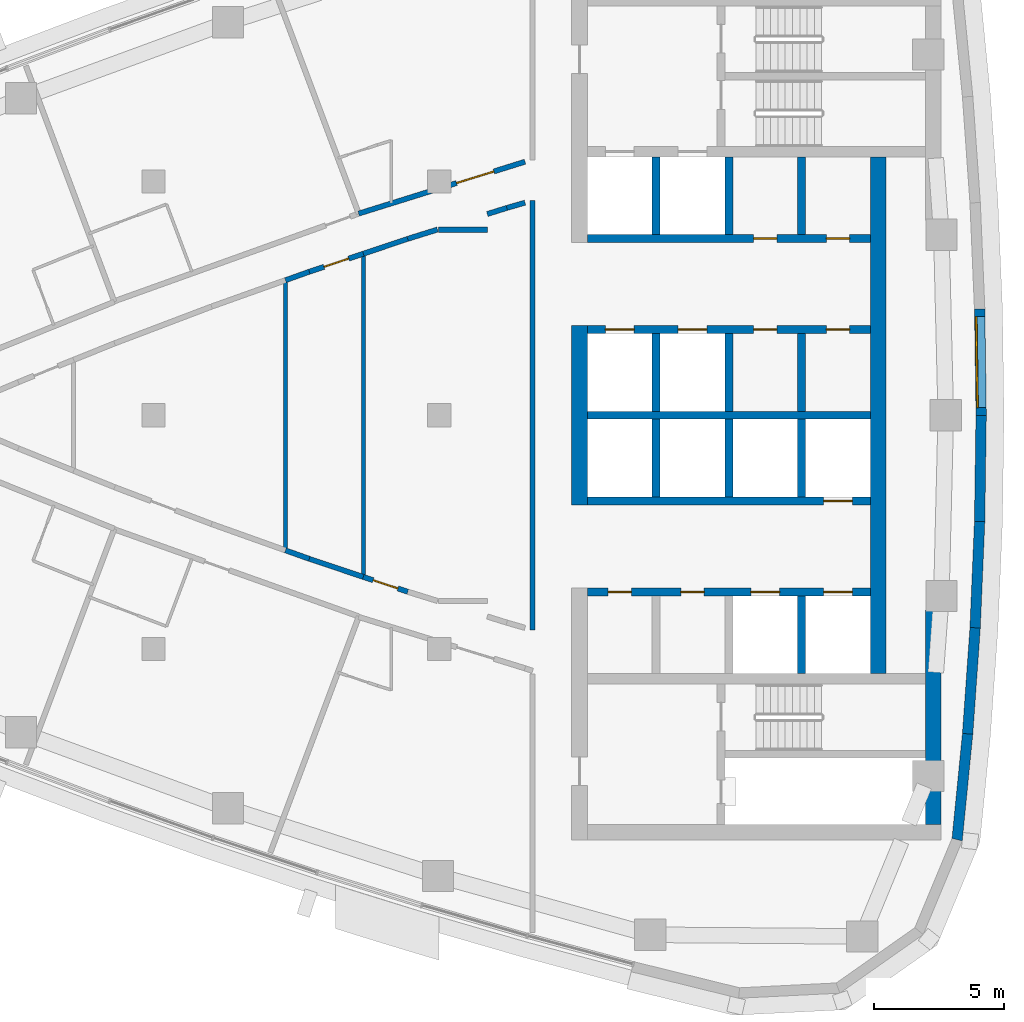
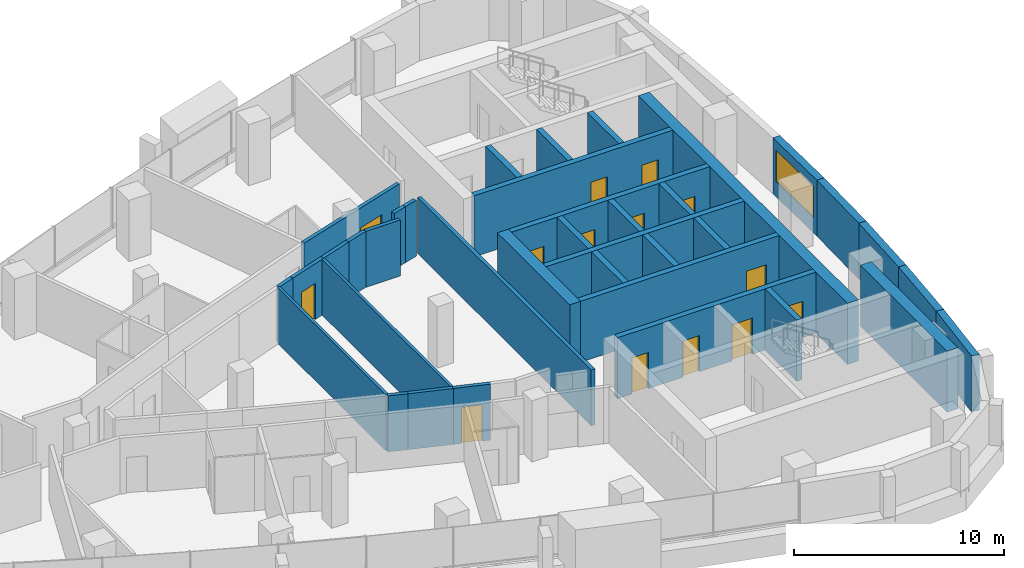
# One storey, part 10 of 15: 37 walls, 14 doors, 1 window, 15 openings.
"""IFC4 building model written with IfcOpenShell, lengths in metres."""

from ifc_helpers import new_model, si_unit, direction, frame, frame_2d, origin, place, context, subcontext, project, spatial, polyline, rectangle, outline, extrude, material, layer, layer_set, type_object, element, fill, save


model = new_model("IFC4")

# Units and contexts
model_context = context("Model", 3, precision=1e-05, world=origin(), true_north=direction((0.0, 1.0)))
body_context = subcontext(model_context, "Body", "Model", "MODEL_VIEW")
ifc_project = project(units=[si_unit("LENGTHUNIT", "METRE"), si_unit("AREAUNIT", "SQUARE_METRE"), si_unit("VOLUMEUNIT", "CUBIC_METRE"), si_unit("PLANEANGLEUNIT", "RADIAN"), si_unit("MASSUNIT", "GRAM", prefix="KILO")], contexts=[model_context])

# Site, building, storey
site_placement = place(None, origin())
site = spatial("IfcSite", under=ifc_project, at=site_placement, CompositionType="ELEMENT")
building_placement = place(site_placement, origin())
building = spatial("IfcBuilding", under=site, at=building_placement, Name="Ostrand Prow Hotel Tower", CompositionType="ELEMENT")
storey_placement = place(building_placement, frame((0.0, 0.0, 235.0)))
storey = spatial("IfcBuildingStorey", under=building, at=storey_placement, Name="L59", CompositionType="ELEMENT", Elevation=235.0)

# Wall
ifc_material_1 = material(Name="Concrete C50/60", Category="concrete")
ifc_layer_1 = layer(ifc_material_1, 0.300048828125)
ifc_layer_set_1 = layer_set([ifc_layer_1], Name="Concrete C50/60")
wall_type_1 = type_object("IfcWallType", Name="Core wall 300 C50/60", PredefinedType="SHEAR", material=ifc_layer_set_1)
wall_1_placement = place(storey_placement, frame((50.699951171875, 0.0, 0.0), z_axis=(0.0, 0.0, 1.0), x_axis=(1.0, 0.0, 0.0)))
element("IfcWall", 1, at=wall_1_placement, inside=storey, type_object=wall_type_1, Name="Core wall PW-C", PredefinedType="SHEAR", context=body_context, shape_type="SweptSolid", body=[
    extrude(rectangle(XDim=10.900146484375, YDim=0.300048828125, at=frame_2d((5.4501953125, 0.0))), origin(), (0.0, 0.0, 1.0), 3.550048828125),
])

# Wall, openings, doors
wall_2_placement = place(storey_placement, frame((50.699951171875, 3.300048828125, 0.0), z_axis=(0.0, 0.0, 1.0), x_axis=(1.0, 0.0, 0.0)))
wall_2 = element("IfcWall", 2, at=wall_2_placement, inside=storey, type_object=wall_type_1, Name="Core wall PW-L1-N", PredefinedType="SHEAR", context=body_context, shape_type="SweptSolid", body=[
    extrude(rectangle(XDim=10.900146484375, YDim=0.300048828125, at=frame_2d((5.4501953125, 0.0))), origin(), (0.0, 0.0, 1.0), 3.550048828125),
])
opening_1_placement = place(wall_2_placement, frame((0.699951171875, 0.0, 0.0)))
opening_1 = element("IfcOpeningElement", 3, at=opening_1_placement, cuts=wall_2, Name="Opening LD", PredefinedType="OPENING", context=body_context, shape_type="SweptSolid", body=[
    extrude(rectangle(XDim=1.10009765625, YDim=2.10009765625, at=frame_2d((0.550048828125, 1.050048828125))), frame((0.0, 0.159912109375, 0.0), z_axis=(0.0, -1.0, 0.0), x_axis=(1.0, 0.0, 0.0)), (0.0, 0.0, 1.0), 0.320068359375),
])
opening_2_placement = place(wall_2_placement, frame((3.5, 0.0, 0.0)))
opening_2 = element("IfcOpeningElement", 4, at=opening_2_placement, cuts=wall_2, Name="Opening LD", PredefinedType="OPENING", context=body_context, shape_type="SweptSolid", body=[
    extrude(rectangle(XDim=1.10009765625, YDim=2.10009765625, at=frame_2d((0.550048828125, 1.050048828125))), frame((0.0, 0.159912109375, 0.0), z_axis=(0.0, -1.0, 0.0), x_axis=(1.0, 0.0, 0.0)), (0.0, 0.0, 1.0), 0.320068359375),
])
opening_3_placement = place(wall_2_placement, frame((6.39990234375, 0.0, 0.0)))
opening_3 = element("IfcOpeningElement", 5, at=opening_3_placement, cuts=wall_2, Name="Opening FD2", PredefinedType="OPENING", context=body_context, shape_type="SweptSolid", body=[
    extrude(rectangle(XDim=0.89990234375, YDim=2.10009765625, at=frame_2d((0.449951171875, 1.050048828125))), frame((0.0, 0.159912109375, 0.0), z_axis=(0.0, -1.0, 0.0), x_axis=(1.0, 0.0, 0.0)), (0.0, 0.0, 1.0), 0.320068359375),
])
opening_4_placement = place(wall_2_placement, frame((9.199951171875, 0.0, 0.0)))
opening_4 = element("IfcOpeningElement", 6, at=opening_4_placement, cuts=wall_2, Name="Opening FD2", PredefinedType="OPENING", context=body_context, shape_type="SweptSolid", body=[
    extrude(rectangle(XDim=0.89990234375, YDim=2.10009765625, at=frame_2d((0.449951171875, 1.050048828125))), frame((0.0, 0.159912109375, 0.0), z_axis=(0.0, -1.0, 0.0), x_axis=(1.0, 0.0, 0.0)), (0.0, 0.0, 1.0), 0.320068359375),
])
ifc_material_2 = material(Name="Steel fire door", Category="steel")
door_type_1 = type_object("IfcDoorType", Name="Fire door 900 EI120", OperationType="SINGLE_SWING_LEFT", PredefinedType="DOOR", material=ifc_material_2)
door_1_placement = place(opening_3_placement, origin())
door_1 = element("IfcDoor", 7, at=door_1_placement, inside=storey, type_object=door_type_1, Name="DOOR", OperationType="SINGLE_SWING_LEFT", OverallHeight=2.10009765625, OverallWidth=0.89990234375, PredefinedType="DOOR", context=body_context, shape_type="SweptSolid", body=[
    extrude(rectangle(XDim=0.89990234375, YDim=2.10009765625, at=frame_2d((0.449951171875, 1.050048828125))), frame((0.0, 0.02490234375, 0.0), z_axis=(0.0, -1.0, 0.0), x_axis=(1.0, 0.0, 0.0)), (0.0, 0.0, 1.0), 0.050048828125),
])
fill(opening_3, door_1)
door_2_placement = place(opening_4_placement, origin())
door_2 = element("IfcDoor", 8, at=door_2_placement, inside=storey, type_object=door_type_1, Name="DOOR", OperationType="SINGLE_SWING_LEFT", OverallHeight=2.10009765625, OverallWidth=0.89990234375, PredefinedType="DOOR", context=body_context, shape_type="SweptSolid", body=[
    extrude(rectangle(XDim=0.89990234375, YDim=2.10009765625, at=frame_2d((0.449951171875, 1.050048828125))), frame((0.0, 0.02490234375, 0.0), z_axis=(0.0, -1.0, 0.0), x_axis=(1.0, 0.0, 0.0)), (0.0, 0.0, 1.0), 0.050048828125),
])
fill(opening_4, door_2)
ifc_material_3 = material(Name="Stainless steel door", Category="steel")
door_type_2 = type_object("IfcDoorType", Name="Lift landing door 1100", OperationType="DOUBLE_DOOR_SLIDING", PredefinedType="DOOR", material=ifc_material_3)
door_3_placement = place(opening_1_placement, origin())
door_3 = element("IfcDoor", 9, at=door_3_placement, inside=storey, type_object=door_type_2, Name="LIFT LANDING DOOR", OperationType="DOUBLE_DOOR_SLIDING", OverallHeight=2.10009765625, OverallWidth=1.10009765625, PredefinedType="DOOR", context=body_context, shape_type="SweptSolid", body=[
    extrude(rectangle(XDim=1.10009765625, YDim=2.10009765625, at=frame_2d((0.550048828125, 1.050048828125))), frame((0.0, 0.02490234375, 0.0), z_axis=(0.0, -1.0, 0.0), x_axis=(1.0, 0.0, 0.0)), (0.0, 0.0, 1.0), 0.050048828125),
])
fill(opening_1, door_3)
door_4_placement = place(opening_2_placement, origin())
door_4 = element("IfcDoor", 10, at=door_4_placement, inside=storey, type_object=door_type_2, Name="LIFT LANDING DOOR", OperationType="DOUBLE_DOOR_SLIDING", OverallHeight=2.10009765625, OverallWidth=1.10009765625, PredefinedType="DOOR", context=body_context, shape_type="SweptSolid", body=[
    extrude(rectangle(XDim=1.10009765625, YDim=2.10009765625, at=frame_2d((0.550048828125, 1.050048828125))), frame((0.0, 0.02490234375, 0.0), z_axis=(0.0, -1.0, 0.0), x_axis=(1.0, 0.0, 0.0)), (0.0, 0.0, 1.0), 0.050048828125),
])
fill(opening_2, door_4)

wall_3_placement = place(storey_placement, frame((50.699951171875, 6.800048828125, 0.0), z_axis=(0.0, 0.0, 1.0), x_axis=(1.0, 0.0, 0.0)))
wall_3 = element("IfcWall", 11, at=wall_3_placement, inside=storey, type_object=wall_type_1, Name="Core wall PW-L2-N", PredefinedType="SHEAR", context=body_context, shape_type="SweptSolid", body=[
    extrude(rectangle(XDim=10.900146484375, YDim=0.300048828125, at=frame_2d((5.4501953125, 0.0))), origin(), (0.0, 0.0, 1.0), 3.550048828125),
])
opening_5_placement = place(wall_3_placement, frame((6.39990234375, 0.0, 0.0)))
opening_5 = element("IfcOpeningElement", 12, at=opening_5_placement, cuts=wall_3, Name="Opening FD2", PredefinedType="OPENING", context=body_context, shape_type="SweptSolid", body=[
    extrude(rectangle(XDim=0.89990234375, YDim=2.10009765625, at=frame_2d((0.449951171875, 1.050048828125))), frame((0.0, 0.159912109375, 0.0), z_axis=(0.0, -1.0, 0.0), x_axis=(1.0, 0.0, 0.0)), (0.0, 0.0, 1.0), 0.320068359375),
])
opening_6_placement = place(wall_3_placement, frame((9.199951171875, 0.0, 0.0)))
opening_6 = element("IfcOpeningElement", 13, at=opening_6_placement, cuts=wall_3, Name="Opening FD2", PredefinedType="OPENING", context=body_context, shape_type="SweptSolid", body=[
    extrude(rectangle(XDim=0.89990234375, YDim=2.10009765625, at=frame_2d((0.449951171875, 1.050048828125))), frame((0.0, 0.159912109375, 0.0), z_axis=(0.0, -1.0, 0.0), x_axis=(1.0, 0.0, 0.0)), (0.0, 0.0, 1.0), 0.320068359375),
])
door_5_placement = place(opening_5_placement, origin())
door_5 = element("IfcDoor", 14, at=door_5_placement, inside=storey, type_object=door_type_1, Name="DOOR", OperationType="SINGLE_SWING_LEFT", OverallHeight=2.10009765625, OverallWidth=0.89990234375, PredefinedType="DOOR", context=body_context, shape_type="SweptSolid", body=[
    extrude(rectangle(XDim=0.89990234375, YDim=2.10009765625, at=frame_2d((0.449951171875, 1.050048828125))), frame((0.0, 0.02490234375, 0.0), z_axis=(0.0, -1.0, 0.0), x_axis=(1.0, 0.0, 0.0)), (0.0, 0.0, 1.0), 0.050048828125),
])
fill(opening_5, door_5)
door_6_placement = place(opening_6_placement, origin())
door_6 = element("IfcDoor", 15, at=door_6_placement, inside=storey, type_object=door_type_1, Name="DOOR", OperationType="SINGLE_SWING_LEFT", OverallHeight=2.10009765625, OverallWidth=0.89990234375, PredefinedType="DOOR", context=body_context, shape_type="SweptSolid", body=[
    extrude(rectangle(XDim=0.89990234375, YDim=2.10009765625, at=frame_2d((0.449951171875, 1.050048828125))), frame((0.0, 0.02490234375, 0.0), z_axis=(0.0, -1.0, 0.0), x_axis=(1.0, 0.0, 0.0)), (0.0, 0.0, 1.0), 0.050048828125),
])
fill(opening_6, door_6)

# Walls
for number, where, z_axis, x_axis, name in (
    (16, (53.35009765625, 0.14990234375, 0.0), (0.0, 0.0, 1.0), (0.0, 1.0, 0.0), "Core wall PW-R1-NB"),
    (17, (53.35009765625, 6.949951171875, 0.0), (0.0, 0.0, 1.0), (0.0, 1.0, 0.0), "Core wall PW-R1-NA"),
    (18, (56.14990234375, 0.14990234375, 0.0), (0.0, 0.0, 1.0), (0.0, 1.0, 0.0), "Core wall PW-R2-NB"),
    (19, (56.14990234375, 6.949951171875, 0.0), (0.0, 0.0, 1.0), (0.0, 1.0, 0.0), "Core wall PW-R2-NA"),
    (20, (58.949951171875, 0.14990234375, 0.0), (0.0, 0.0, 1.0), (0.0, 1.0, 0.0), "Core wall PW-R3-NB"),
    (21, (58.949951171875, 6.949951171875, 0.0), (0.0, 0.0, 1.0), (0.0, 1.0, 0.0), "Core wall PW-R3-NA"),
):
    element("IfcWall", number, at=place(storey_placement, frame(where, z_axis=z_axis, x_axis=x_axis)), inside=storey, type_object=wall_type_1, Name=name, PredefinedType="SHEAR", context=body_context, shape_type="SweptSolid", body=[
        extrude(rectangle(XDim=3.0, YDim=0.300048828125, at=frame_2d((1.5, 0.0))), origin(), (0.0, 0.0, 1.0), 3.550048828125),
    ])

# Wall, opening, door
wall_4_placement = place(storey_placement, frame((50.699951171875, -3.300048828125, 0.0), z_axis=(0.0, 0.0, 1.0), x_axis=(1.0, 0.0, 0.0)))
wall_4 = element("IfcWall", 22, at=wall_4_placement, inside=storey, type_object=wall_type_1, Name="Core wall PW-L1-S", PredefinedType="SHEAR", context=body_context, shape_type="SweptSolid", body=[
    extrude(rectangle(XDim=10.900146484375, YDim=0.300048828125, at=frame_2d((5.4501953125, 0.0))), origin(), (0.0, 0.0, 1.0), 3.550048828125),
])
opening_7_placement = place(wall_4_placement, frame((9.10009765625, 0.0, 0.0)))
opening_7 = element("IfcOpeningElement", 23, at=opening_7_placement, cuts=wall_4, Name="Opening LD", PredefinedType="OPENING", context=body_context, shape_type="SweptSolid", body=[
    extrude(rectangle(XDim=1.10009765625, YDim=2.10009765625, at=frame_2d((0.550048828125, 1.050048828125))), frame((0.0, 0.159912109375, 0.0), z_axis=(0.0, -1.0, 0.0), x_axis=(1.0, 0.0, 0.0)), (0.0, 0.0, 1.0), 0.320068359375),
])
door_7_placement = place(opening_7_placement, origin())
door_7 = element("IfcDoor", 24, at=door_7_placement, inside=storey, type_object=door_type_2, Name="LIFT LANDING DOOR", OperationType="DOUBLE_DOOR_SLIDING", OverallHeight=2.10009765625, OverallWidth=1.10009765625, PredefinedType="DOOR", context=body_context, shape_type="SweptSolid", body=[
    extrude(rectangle(XDim=1.10009765625, YDim=2.10009765625, at=frame_2d((0.550048828125, 1.050048828125))), frame((0.0, 0.02490234375, 0.0), z_axis=(0.0, -1.0, 0.0), x_axis=(1.0, 0.0, 0.0)), (0.0, 0.0, 1.0), 0.050048828125),
])
fill(opening_7, door_7)

# Wall, openings, doors
wall_5_placement = place(storey_placement, frame((50.699951171875, -6.800048828125, 0.0), z_axis=(0.0, 0.0, 1.0), x_axis=(1.0, 0.0, 0.0)))
wall_5 = element("IfcWall", 25, at=wall_5_placement, inside=storey, type_object=wall_type_1, Name="Core wall PW-L2-S", PredefinedType="SHEAR", context=body_context, shape_type="SweptSolid", body=[
    extrude(rectangle(XDim=10.900146484375, YDim=0.300048828125, at=frame_2d((5.4501953125, 0.0))), origin(), (0.0, 0.0, 1.0), 3.550048828125),
])
opening_8_placement = place(wall_5_placement, frame((6.300048828125, 0.0, 0.0)))
opening_8 = element("IfcOpeningElement", 26, at=opening_8_placement, cuts=wall_5, Name="Opening LD", PredefinedType="OPENING", context=body_context, shape_type="SweptSolid", body=[
    extrude(rectangle(XDim=1.10009765625, YDim=2.10009765625, at=frame_2d((0.550048828125, 1.050048828125))), frame((0.0, 0.159912109375, 0.0), z_axis=(0.0, -1.0, 0.0), x_axis=(1.0, 0.0, 0.0)), (0.0, 0.0, 1.0), 0.320068359375),
])
opening_9_placement = place(wall_5_placement, frame((9.10009765625, 0.0, 0.0)))
opening_9 = element("IfcOpeningElement", 27, at=opening_9_placement, cuts=wall_5, Name="Opening LD", PredefinedType="OPENING", context=body_context, shape_type="SweptSolid", body=[
    extrude(rectangle(XDim=1.10009765625, YDim=2.10009765625, at=frame_2d((0.550048828125, 1.050048828125))), frame((0.0, 0.159912109375, 0.0), z_axis=(0.0, -1.0, 0.0), x_axis=(1.0, 0.0, 0.0)), (0.0, 0.0, 1.0), 0.320068359375),
])
opening_10_placement = place(wall_5_placement, frame((0.800048828125, 0.0, 0.0)))
opening_10 = element("IfcOpeningElement", 28, at=opening_10_placement, cuts=wall_5, Name="Opening FD2", PredefinedType="OPENING", context=body_context, shape_type="SweptSolid", body=[
    extrude(rectangle(XDim=0.89990234375, YDim=2.10009765625, at=frame_2d((0.449951171875, 1.050048828125))), frame((0.0, 0.159912109375, 0.0), z_axis=(0.0, -1.0, 0.0), x_axis=(1.0, 0.0, 0.0)), (0.0, 0.0, 1.0), 0.320068359375),
])
opening_11_placement = place(wall_5_placement, frame((3.60009765625, 0.0, 0.0)))
opening_11 = element("IfcOpeningElement", 29, at=opening_11_placement, cuts=wall_5, Name="Opening FD2", PredefinedType="OPENING", context=body_context, shape_type="SweptSolid", body=[
    extrude(rectangle(XDim=0.89990234375, YDim=2.10009765625, at=frame_2d((0.449951171875, 1.050048828125))), frame((0.0, 0.159912109375, 0.0), z_axis=(0.0, -1.0, 0.0), x_axis=(1.0, 0.0, 0.0)), (0.0, 0.0, 1.0), 0.320068359375),
])
door_8_placement = place(opening_10_placement, origin())
door_8 = element("IfcDoor", 30, at=door_8_placement, inside=storey, type_object=door_type_1, Name="DOOR", OperationType="SINGLE_SWING_LEFT", OverallHeight=2.10009765625, OverallWidth=0.89990234375, PredefinedType="DOOR", context=body_context, shape_type="SweptSolid", body=[
    extrude(rectangle(XDim=0.89990234375, YDim=2.10009765625, at=frame_2d((0.449951171875, 1.050048828125))), frame((0.0, 0.02490234375, 0.0), z_axis=(0.0, -1.0, 0.0), x_axis=(1.0, 0.0, 0.0)), (0.0, 0.0, 1.0), 0.050048828125),
])
fill(opening_10, door_8)
door_9_placement = place(opening_11_placement, origin())
door_9 = element("IfcDoor", 31, at=door_9_placement, inside=storey, type_object=door_type_1, Name="DOOR", OperationType="SINGLE_SWING_LEFT", OverallHeight=2.10009765625, OverallWidth=0.89990234375, PredefinedType="DOOR", context=body_context, shape_type="SweptSolid", body=[
    extrude(rectangle(XDim=0.89990234375, YDim=2.10009765625, at=frame_2d((0.449951171875, 1.050048828125))), frame((0.0, 0.02490234375, 0.0), z_axis=(0.0, -1.0, 0.0), x_axis=(1.0, 0.0, 0.0)), (0.0, 0.0, 1.0), 0.050048828125),
])
fill(opening_11, door_9)
door_10_placement = place(opening_8_placement, origin())
door_10 = element("IfcDoor", 32, at=door_10_placement, inside=storey, type_object=door_type_2, Name="LIFT LANDING DOOR", OperationType="DOUBLE_DOOR_SLIDING", OverallHeight=2.10009765625, OverallWidth=1.10009765625, PredefinedType="DOOR", context=body_context, shape_type="SweptSolid", body=[
    extrude(rectangle(XDim=1.10009765625, YDim=2.10009765625, at=frame_2d((0.550048828125, 1.050048828125))), frame((0.0, 0.02490234375, 0.0), z_axis=(0.0, -1.0, 0.0), x_axis=(1.0, 0.0, 0.0)), (0.0, 0.0, 1.0), 0.050048828125),
])
fill(opening_8, door_10)
door_11_placement = place(opening_9_placement, origin())
door_11 = element("IfcDoor", 33, at=door_11_placement, inside=storey, type_object=door_type_2, Name="LIFT LANDING DOOR", OperationType="DOUBLE_DOOR_SLIDING", OverallHeight=2.10009765625, OverallWidth=1.10009765625, PredefinedType="DOOR", context=body_context, shape_type="SweptSolid", body=[
    extrude(rectangle(XDim=1.10009765625, YDim=2.10009765625, at=frame_2d((0.550048828125, 1.050048828125))), frame((0.0, 0.02490234375, 0.0), z_axis=(0.0, -1.0, 0.0), x_axis=(1.0, 0.0, 0.0)), (0.0, 0.0, 1.0), 0.050048828125),
])
fill(opening_9, door_11)

# Walls
for number, where, z_axis, x_axis, name in (
    (34, (53.35009765625, -3.14990234375, 0.0), (0.0, 0.0, 1.0), (0.0, 1.0, 0.0), "Core wall PW-R1-SB"),
    (35, (56.14990234375, -3.14990234375, 0.0), (0.0, 0.0, 1.0), (0.0, 1.0, 0.0), "Core wall PW-R2-SB"),
    (36, (58.949951171875, -3.14990234375, 0.0), (0.0, 0.0, 1.0), (0.0, 1.0, 0.0), "Core wall PW-R3-SB"),
    (37, (58.949951171875, -9.949951171875, 0.0), (0.0, 0.0, 1.0), (0.0, 1.0, 0.0), "Core wall PW-R3-SA"),
):
    element("IfcWall", number, at=place(storey_placement, frame(where, z_axis=z_axis, x_axis=x_axis)), inside=storey, type_object=wall_type_1, Name=name, PredefinedType="SHEAR", context=body_context, shape_type="SweptSolid", body=[
        extrude(rectangle(XDim=3.0, YDim=0.300048828125, at=frame_2d((1.5, 0.0))), origin(), (0.0, 0.0, 1.0), 3.550048828125),
    ])
ifc_material_4 = material(Name="Concrete C50/60", Category="concrete")
ifc_layer_2 = layer(ifc_material_4, 0.60009765625)
ifc_layer_set_2 = layer_set([ifc_layer_2], Name="Concrete C50/60")
wall_type_2 = type_object("IfcWallType", Name="Core wall 600 C50/60", PredefinedType="SHEAR", material=ifc_layer_set_2)
wall_6_placement = place(storey_placement, frame((50.39990234375, -3.449951171875, 0.0), z_axis=(0.0, 0.0, 1.0), x_axis=(0.0, 1.0, 0.0)))
element("IfcWall", 38, at=wall_6_placement, inside=storey, type_object=wall_type_2, Name="Core wall CW-W-C", PredefinedType="SHEAR", context=body_context, shape_type="SweptSolid", body=[
    extrude(rectangle(XDim=6.89990234375, YDim=0.60009765625, at=frame_2d((3.449951171875, 0.0))), origin(), (0.0, 0.0, 1.0), 3.550048828125),
])
wall_7_placement = place(storey_placement, frame((64.02001953125, -15.75, 0.0), z_axis=(0.0, 0.0, 1.0), x_axis=(0.0, 1.0, 0.0)))
element("IfcWall", 39, at=wall_7_placement, inside=storey, type_object=wall_type_2, Name="Core wall CW-E-S", PredefinedType="SHEAR", context=body_context, shape_type="SweptSolid", body=[
    extrude(rectangle(XDim=8.247802734375, YDim=0.60009765625, at=frame_2d((4.1240234375, 0.0))), origin(), (0.0, 0.0, 1.0), 3.550048828125),
])
wall_8_placement = place(storey_placement, frame((61.89990234375, -9.949951171875, 0.0), z_axis=(0.0, 0.0, 1.0), x_axis=(0.0, 1.0, 0.0)))
element("IfcWall", 40, at=wall_8_placement, inside=storey, type_object=wall_type_2, Name="Core wall CW-E-C", PredefinedType="SHEAR", context=body_context, shape_type="SweptSolid", body=[
    extrude(rectangle(XDim=19.89990234375, YDim=0.60009765625, at=frame_2d((9.949951171875, 0.0))), origin(), (0.0, 0.0, 1.0), 3.550048828125),
])
ifc_material_5 = material(Name="Plasterboard partition")
ifc_layer_3 = layer(ifc_material_5, 0.14990234375)
ifc_layer_set_3 = layer_set([ifc_layer_3], Name="Plasterboard partition")
wall_type_3 = type_object("IfcWallType", Name="Partition 150 room partition", PredefinedType="PARTITIONING", material=ifc_layer_set_3)
wall_9_placement = place(storey_placement, frame((39.078369140625, -5.198974609375, 0.0), z_axis=(0.0, 0.0, 1.0), x_axis=(0.0, 1.0, 0.0)))
element("IfcWall", 41, at=wall_9_placement, inside=storey, type_object=wall_type_3, Name="ROOM PARTITION", PredefinedType="PARTITIONING", context=body_context, shape_type="SweptSolid", body=[
    extrude(rectangle(XDim=10.39794921875, YDim=0.14990234375, at=frame_2d((5.198974609375, 0.0))), origin(), (0.0, 0.0, 1.0), 3.25),
])
wall_10_placement = place(storey_placement, frame((42.078369140625, -6.221923828125, 0.0), z_axis=(0.0, 0.0, 1.0), x_axis=(0.0, 1.0, 0.0)))
element("IfcWall", 42, at=wall_10_placement, inside=storey, type_object=wall_type_3, Name="ROOM PARTITION", PredefinedType="PARTITIONING", context=body_context, shape_type="SweptSolid", body=[
    extrude(rectangle(XDim=12.44384765625, YDim=0.14990234375, at=frame_2d((6.221923828125, 0.0))), origin(), (0.0, 0.0, 1.0), 3.25),
])

# Wall, opening, door
ifc_material_6 = material(Name="Plasterboard partition")
ifc_layer_4 = layer(ifc_material_6, 0.199951171875)
ifc_layer_set_4 = layer_set([ifc_layer_4], Name="Plasterboard partition")
wall_type_4 = type_object("IfcWallType", Name="Partition 200 corridor wall", PredefinedType="PARTITIONING", material=ifc_layer_set_4)
wall_11_placement = place(storey_placement, frame((39.999267578125, 5.52734375, 0.0), z_axis=(0.0, 0.0, 1.0), x_axis=(0.9484714727, 0.316862534034, 0.0)))
wall_11 = element("IfcWall", 43, at=wall_11_placement, inside=storey, type_object=wall_type_4, Name="CORRIDOR WALL", PredefinedType="PARTITIONING", context=body_context, shape_type="SweptSolid", body=[
    extrude(rectangle(XDim=2.192138671875, YDim=0.199951171875, at=frame_2d((1.09619140625, 0.0))), origin(), (0.0, 0.0, 1.0), 3.25),
])
opening_12_placement = place(wall_11_placement, frame((0.595947265625, 0.0, 0.0)))
opening_12 = element("IfcOpeningElement", 44, at=opening_12_placement, cuts=wall_11, Name="Opening D1R", PredefinedType="OPENING", context=body_context, shape_type="SweptSolid", body=[
    extrude(rectangle(XDim=1.0, YDim=2.10009765625, at=frame_2d((0.5, 1.050048828125))), frame((0.0, 0.10986328125, 0.0), z_axis=(0.0, -1.0, 0.0), x_axis=(1.0, 0.0, 0.0)), (0.0, 0.0, 1.0), 0.219970703125),
])
ifc_material_7 = material(Name="Timber door leaf", Category="wood")
door_type_3 = type_object("IfcDoorType", Name="Guest room door 1000 right", OperationType="SINGLE_SWING_RIGHT", PredefinedType="DOOR", material=ifc_material_7)
door_12_placement = place(opening_12_placement, origin())
door_12 = element("IfcDoor", 45, at=door_12_placement, inside=storey, type_object=door_type_3, Name="DOOR", OperationType="SINGLE_SWING_RIGHT", OverallHeight=2.10009765625, OverallWidth=1.0, PredefinedType="DOOR", context=body_context, shape_type="SweptSolid", body=[
    extrude(rectangle(XDim=1.0, YDim=2.10009765625, at=frame_2d((0.5, 1.050048828125))), frame((0.0, 0.02490234375, 0.0), z_axis=(0.0, -1.0, 0.0), x_axis=(1.0, 0.0, 0.0)), (0.0, 0.0, 1.0), 0.050048828125),
])
fill(opening_12, door_12)

# Walls
wall_12_placement = place(storey_placement, frame((42.078369140625, -6.221923828125, 0.0), z_axis=(0.0, 0.0, 1.0), x_axis=(-0.9484714727, 0.316862534034, 0.0)))
element("IfcWall", 46, at=wall_12_placement, inside=storey, type_object=wall_type_4, Name="CORRIDOR WALL", PredefinedType="PARTITIONING", context=body_context, shape_type="SweptSolid", body=[
    extrude(rectangle(XDim=2.192138671875, YDim=0.199951171875, at=frame_2d((1.09619140625, 0.0))), origin(), (0.0, 0.0, 1.0), 3.25),
])
for number, where, z_axis, x_axis, name in (
    (47, (39.999267578125, -5.52734375, 0.0), (0.0, 0.0, 1.0), (-0.941911279377, 0.335861789704, 0.0), "CORRIDOR WALL"),
    (48, (39.078369140625, 5.198974609375, 0.0), (0.0, 0.0, 1.0), (0.941911279377, 0.335861789704, 0.0), "CORRIDOR WALL"),
):
    element("IfcWall", number, at=place(storey_placement, frame(where, z_axis=z_axis, x_axis=x_axis)), inside=storey, type_object=wall_type_4, Name=name, PredefinedType="PARTITIONING", context=body_context, shape_type="SweptSolid", body=[
        extrude(rectangle(XDim=0.977783203125, YDim=0.199951171875, at=frame_2d((0.48876953125, 0.0))), origin(), (0.0, 0.0, 1.0), 3.25),
    ])

# Wall, opening, door
wall_13_placement = place(storey_placement, frame((43.788330078125, -6.793212890625, 0.0), z_axis=(0.0, 0.0, 1.0), x_axis=(-0.948466406859, 0.316877697323, 0.0)))
wall_13 = element("IfcWall", 49, at=wall_13_placement, inside=storey, type_object=wall_type_4, Name="CORRIDOR WALL", PredefinedType="PARTITIONING", context=body_context, shape_type="SweptSolid", body=[
    extrude(rectangle(XDim=1.802978515625, YDim=0.199951171875, at=frame_2d((0.9013671875, 0.0))), origin(), (0.0, 0.0, 1.0), 3.25),
])
opening_13_placement = place(wall_13_placement, frame((0.401611328125, 0.0, 0.0)))
opening_13 = element("IfcOpeningElement", 50, at=opening_13_placement, cuts=wall_13, Name="Opening D1", PredefinedType="OPENING", context=body_context, shape_type="SweptSolid", body=[
    extrude(rectangle(XDim=1.0, YDim=2.10009765625, at=frame_2d((0.5, 1.050048828125))), frame((0.0, 0.10986328125, 0.0), z_axis=(0.0, -1.0, 0.0), x_axis=(1.0, 0.0, 0.0)), (0.0, 0.0, 1.0), 0.219970703125),
])
ifc_material_8 = material(Name="Timber door leaf", Category="wood")
door_type_4 = type_object("IfcDoorType", Name="Guest room door 1000", OperationType="SINGLE_SWING_LEFT", PredefinedType="DOOR", material=ifc_material_8)
door_13_placement = place(opening_13_placement, origin())
door_13 = element("IfcDoor", 51, at=door_13_placement, inside=storey, type_object=door_type_4, Name="DOOR", OperationType="SINGLE_SWING_LEFT", OverallHeight=2.10009765625, OverallWidth=1.0, PredefinedType="DOOR", context=body_context, shape_type="SweptSolid", body=[
    extrude(rectangle(XDim=1.0, YDim=2.10009765625, at=frame_2d((0.5, 1.050048828125))), frame((0.0, 0.02490234375, 0.0), z_axis=(0.0, -1.0, 0.0), x_axis=(1.0, 0.0, 0.0)), (0.0, 0.0, 1.0), 0.050048828125),
])
fill(opening_13, door_13)

# Walls
wall_14_placement = place(storey_placement, frame((43.788330078125, 6.793212890625, 0.0), z_axis=(0.0, 0.0, 1.0), x_axis=(0.954693570678, 0.29759063511, 0.0)))
element("IfcWall", 52, at=wall_14_placement, inside=storey, type_object=wall_type_4, Name="CORRIDOR WALL", PredefinedType="PARTITIONING", context=body_context, shape_type="SweptSolid", body=[
    extrude(rectangle(XDim=1.198486328125, YDim=0.199951171875, at=frame_2d((0.59912109375, 0.0))), origin(), (0.0, 0.0, 1.0), 3.25),
])
wall_15_placement = place(storey_placement, frame((46.85009765625, 7.747802734375, 0.0), z_axis=(0.0, 0.0, 1.0), x_axis=(0.95461224237, 0.297851417181, 0.0)))
element("IfcWall", 53, at=wall_15_placement, inside=storey, type_object=wall_type_4, Name="CORRIDOR WALL", PredefinedType="PARTITIONING", context=body_context, shape_type="SweptSolid", body=[
    extrude(rectangle(XDim=0.78759765625, YDim=0.199951171875, at=frame_2d((0.393798828125, 0.0))), origin(), (0.0, 0.0, 1.0), 3.25),
])
wall_16_placement = place(storey_placement, frame((42.078369140625, 6.221923828125, 0.0), z_axis=(0.0, 0.0, 1.0), x_axis=(0.948466406859, 0.316877697323, 0.0)))
element("IfcWall", 54, at=wall_16_placement, inside=storey, type_object=wall_type_4, Name="CORRIDOR WALL", PredefinedType="PARTITIONING", context=body_context, shape_type="SweptSolid", body=[
    extrude(rectangle(XDim=1.802978515625, YDim=0.199951171875, at=frame_2d((0.9013671875, 0.0))), origin(), (0.0, 0.0, 1.0), 3.25),
])

# Wall, opening, door
wall_17_placement = place(storey_placement, frame((41.8984375, 7.764404296875, 0.0), z_axis=(0.0, 0.0, 1.0), x_axis=(0.954667015156, 0.297675813886, 0.0)))
wall_17 = element("IfcWall", 55, at=wall_17_placement, inside=storey, type_object=wall_type_4, Name="CORRIDOR WALL", PredefinedType="PARTITIONING", context=body_context, shape_type="SweptSolid", body=[
    extrude(rectangle(XDim=6.70556640625, YDim=0.199951171875, at=frame_2d((3.352783203125, 0.0))), origin(), (0.0, 0.0, 1.0), 3.25),
])
opening_14_placement = place(wall_17_placement, frame((3.949951171875, 0.0, 0.0)))
opening_14 = element("IfcOpeningElement", 56, at=opening_14_placement, cuts=wall_17, Name="Opening D15", PredefinedType="OPENING", context=body_context, shape_type="SweptSolid", body=[
    extrude(rectangle(XDim=1.5, YDim=2.10009765625, at=frame_2d((0.75, 1.050048828125))), frame((0.0, 0.10986328125, 0.0), z_axis=(0.0, -1.0, 0.0), x_axis=(1.0, 0.0, 0.0)), (0.0, 0.0, 1.0), 0.219970703125),
])
ifc_material_9 = material(Name="Timber door leaf", Category="wood")
door_type_5 = type_object("IfcDoorType", Name="Double door 1500", OperationType="DOUBLE_DOOR_SINGLE_SWING", PredefinedType="DOOR", material=ifc_material_9)
door_14_placement = place(opening_14_placement, origin())
door_14 = element("IfcDoor", 57, at=door_14_placement, inside=storey, type_object=door_type_5, Name="DOOR", OperationType="DOUBLE_DOOR_SINGLE_SWING", OverallHeight=2.10009765625, OverallWidth=1.5, PredefinedType="DOOR", context=body_context, shape_type="SweptSolid", body=[
    extrude(rectangle(XDim=1.5, YDim=2.10009765625, at=frame_2d((0.75, 1.050048828125))), frame((0.0, 0.02490234375, 0.0), z_axis=(0.0, -1.0, 0.0), x_axis=(1.0, 0.0, 0.0)), (0.0, 0.0, 1.0), 0.050048828125),
])
fill(opening_14, door_14)

# Walls
wall_18_placement = place(storey_placement, frame((47.60205078125, 7.982421875, 0.0), z_axis=(0.0, 0.0, 1.0), x_axis=(0.960439023181, 0.278490363839, 0.0)))
element("IfcWall", 58, at=wall_18_placement, inside=storey, type_object=wall_type_4, Name="CORRIDOR WALL", PredefinedType="PARTITIONING", context=body_context, shape_type="SweptSolid", body=[
    extrude(rectangle(XDim=0.726806640625, YDim=0.199951171875, at=frame_2d((0.36328125, 0.0))), origin(), (0.0, 0.0, 1.0), 3.25),
])
wall_19_placement = place(storey_placement, frame((44.972412109375, 7.14501953125, 0.0), z_axis=(0.0, 0.0, 1.0), x_axis=(0.99999999156, 0.000129920747, 0.0)))
element("IfcWall", 59, at=wall_19_placement, inside=storey, type_object=wall_type_4, Name="CORRIDOR WALL", PredefinedType="PARTITIONING", context=body_context, shape_type="SweptSolid", body=[
    extrude(rectangle(XDim=1.879150390625, YDim=0.199951171875, at=frame_2d((0.939453125, 0.0))), origin(), (0.0, 0.0, 1.0), 3.25),
])
wall_20_placement = place(storey_placement, frame((48.594970703125, 8.264892578125, 0.0), z_axis=(0.0, 0.0, 1.0), x_axis=(0.0, -1.0, 0.0)))
element("IfcWall", 60, at=wall_20_placement, inside=storey, type_object=wall_type_4, Name="CORRIDOR WALL", PredefinedType="PARTITIONING", context=body_context, shape_type="SweptSolid", body=[
    extrude(rectangle(XDim=16.52978515625, YDim=0.199951171875, at=frame_2d((8.264892578125, 0.0))), origin(), (0.0, 0.0, 1.0), 3.25),
])
ifc_material_10 = material(Name="Precast concrete C40/50", Category="concrete")
ifc_layer_5 = layer(ifc_material_10, 0.39990234375)
ifc_layer_set_5 = layer_set([ifc_layer_5], Name="Precast concrete C40/50")
wall_type_5 = type_object("IfcWallType", Name="Stone-faced precast wall 400 mm", PredefinedType="NOTDEFINED", material=ifc_layer_set_5)
wall_21_placement = place(storey_placement, frame((64.9375, -16.33740234375, 0.0), z_axis=(0.0, 0.0, 1.0), x_axis=(0.098718218066, 0.995115427185, 0.0)))
element("IfcWall", 61, at=wall_21_placement, inside=storey, type_object=wall_type_5, Name="Stone-faced wall back 5", PredefinedType="NOTDEFINED", context=body_context, shape_type="SweptSolid", body=[
    extrude(outline(polyline([(-0.02978515625, -0.199951171875), (4.095703125, -0.199951171875), (4.09033203125, 0.199951171875), (0.02978515625, 0.199951171875), (-0.02978515625, -0.199951171875)])), origin(), (0.0, 0.0, 1.0), 3.25),
])
wall_22_placement = place(storey_placement, frame((65.341552734375, -12.264404296875, 0.0), z_axis=(0.0, 0.0, 1.0), x_axis=(0.070623905352, 0.997503014528, 0.0)))
element("IfcWall", 62, at=wall_22_placement, inside=storey, type_object=wall_type_5, Name="Stone-faced wall back 6", PredefinedType="NOTDEFINED", context=body_context, shape_type="SweptSolid", body=[
    extrude(outline(polyline([(-0.002685546875, -0.199951171875), (4.095703125, -0.199951171875), (4.09033203125, 0.199951171875), (0.002685546875, 0.199951171875), (-0.002685546875, -0.199951171875)])), origin(), (0.0, 0.0, 1.0), 3.25),
])
wall_23_placement = place(storey_placement, frame((65.630615234375, -8.181640625, 0.0), z_axis=(0.0, 0.0, 1.0), x_axis=(0.042352554594, 0.999102728011, 0.0)))
element("IfcWall", 63, at=wall_23_placement, inside=storey, type_object=wall_type_5, Name="Stone-faced wall back 7", PredefinedType="NOTDEFINED", context=body_context, shape_type="SweptSolid", body=[
    extrude(outline(polyline([(-0.002685546875, -0.199951171875), (4.095458984375, -0.199951171875), (4.090087890625, 0.199951171875), (0.002685546875, 0.199951171875), (-0.002685546875, -0.199951171875)])), origin(), (0.0, 0.0, 1.0), 3.25),
])
wall_24_placement = place(storey_placement, frame((65.803955078125, -4.092529296875, 0.0), z_axis=(0.0, 0.0, 1.0), x_axis=(0.014136867892, 0.99990006949, 0.0)))
element("IfcWall", 64, at=wall_24_placement, inside=storey, type_object=wall_type_5, Name="Stone-faced wall back 8", PredefinedType="NOTDEFINED", context=body_context, shape_type="SweptSolid", body=[
    extrude(outline(polyline([(-0.002685546875, -0.199951171875), (4.095703125, -0.199951171875), (4.09033203125, 0.199951171875), (0.002685546875, 0.199951171875), (-0.002685546875, -0.199951171875)])), origin(), (0.0, 0.0, 1.0), 3.25),
])

# Wall, opening, window
wall_25_placement = place(storey_placement, frame((65.86181640625, 0.0, 0.0), z_axis=(0.0, 0.0, 1.0), x_axis=(-0.014136867892, 0.99990006949, 0.0)))
wall_25 = element("IfcWall", 65, at=wall_25_placement, inside=storey, type_object=wall_type_5, Name="Stone-faced wall back 9", PredefinedType="NOTDEFINED", context=body_context, shape_type="SweptSolid", body=[
    extrude(outline(polyline([(-0.002685546875, -0.199951171875), (4.095703125, -0.199951171875), (4.09033203125, 0.199951171875), (0.002685546875, 0.199951171875), (-0.002685546875, -0.199951171875)])), origin(), (0.0, 0.0, 1.0), 3.25),
])
opening_15_placement = place(wall_25_placement, frame((0.29638671875, 0.0, 0.89990234375)))
opening_15 = element("IfcOpeningElement", 66, at=opening_15_placement, cuts=wall_25, Name="Opening WS3-35", PredefinedType="OPENING", context=body_context, shape_type="SweptSolid", body=[
    extrude(rectangle(XDim=3.5, YDim=1.800048828125, at=frame_2d((1.75, 0.89990234375))), frame((0.0, 0.2099609375, 0.0), z_axis=(0.0, -1.0, 0.0), x_axis=(1.0, 0.0, 0.0)), (0.0, 0.0, 1.0), 0.419921875),
])
ifc_material_11 = material(Name="Insulated glass in bronze frame", Category="glass")
window_type = type_object("IfcWindowType", Name="Strip window 3500x1800", PartitioningType="SINGLE_PANEL", PredefinedType="WINDOW", material=ifc_material_11)
window_placement = place(opening_15_placement, origin())
window = element("IfcWindow", 67, at=window_placement, inside=storey, type_object=window_type, Name="Window back 9.1", OverallHeight=1.800048828125, OverallWidth=3.5, PartitioningType="SINGLE_PANEL", PredefinedType="WINDOW", context=body_context, shape_type="SweptSolid", body=[
    extrude(rectangle(XDim=3.5, YDim=1.800048828125, at=frame_2d((1.75, 0.89990234375))), frame((0.0, 0.169921875, 0.0), z_axis=(0.0, -1.0, 0.0), x_axis=(1.0, 0.0, 0.0)), (0.0, 0.0, 1.0), 0.06005859375),
])
fill(opening_15, window)

save(model, "model.ifc")
